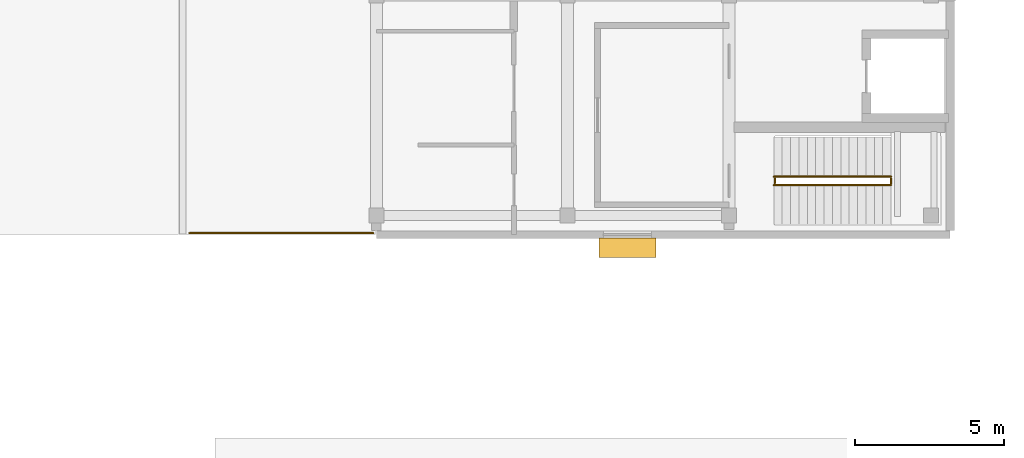
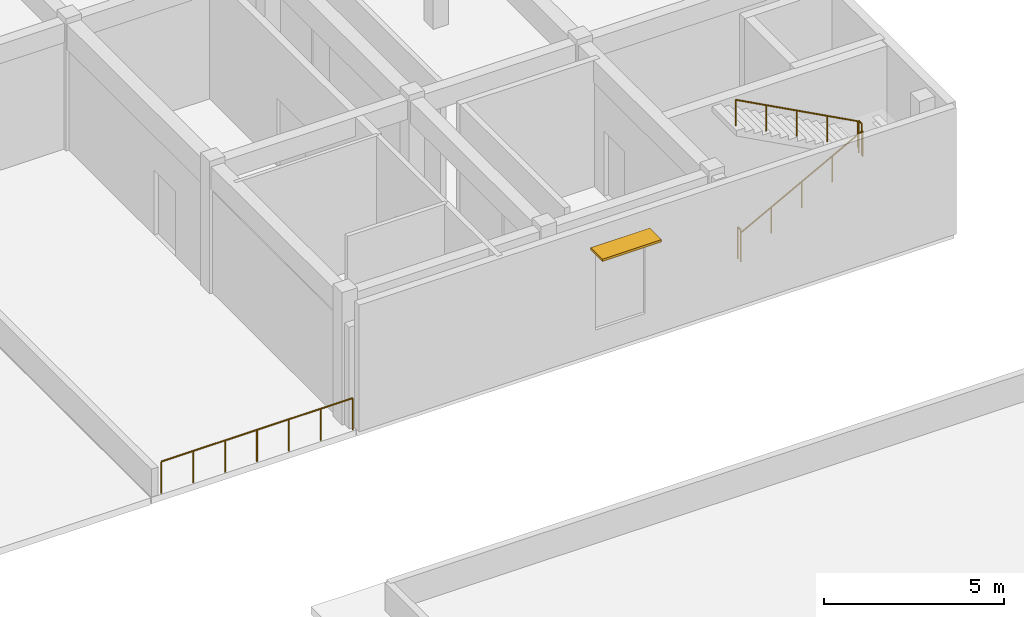
# One storey, part 42 of 45: 5 railings, 1 shading device.
"""IFC4 building model written with IfcOpenShell, lengths in metres."""

import ifcopenshell
import ifcopenshell.guid

model = None  # the IFC model being written
_history = None  # IfcOwnerHistory: only IFC2X3 demands one
_inside = {}  # id of a spatial element -> (the spatial element, [elements in it])
_under = {}  # id of a project, library or spatial element -> (it, [spatial elements below it])
_declared = {}  # id of a project -> (the project, [libraries it declares])
_typed = {}  # id of a type object -> (the type object, [elements of that type])
_made_of = {}  # id of a material, layer set ... -> (it, [elements and type objects made of it])


def new_model(schema):
    """Start an empty IFC model of exactly this schema.

    Asked for "IFC4X3", IfcOpenShell would pick the latest addendum, in which some entities
    have other attributes; the version numbers below select the first issue.
    IFC2X3 requires an IfcOwnerHistory on every rooted entity: one is made here for all.
    """
    global model, _history
    if schema == "IFC4X3":
        model = ifcopenshell.file(schema_version=(4, 3, 0, 0))
    else:
        model = ifcopenshell.file(schema=schema)
    _inside.clear()
    _under.clear()
    _declared.clear()
    _typed.clear()
    _made_of.clear()
    _history = None
    if model.schema == "IFC2X3":
        org = make("IfcOrganization", Name="unknown")
        user = make(
            "IfcPersonAndOrganization",
            ThePerson=make("IfcPerson", FamilyName="unknown"),
            TheOrganization=org,
        )
        app = make(
            "IfcApplication",
            ApplicationDeveloper=org,
            Version="unknown",
            ApplicationFullName="unknown",
            ApplicationIdentifier="unknown",
        )
        _history = make(
            "IfcOwnerHistory",
            OwningUser=user,
            OwningApplication=app,
            ChangeAction="ADDED",
            CreationDate=0,
        )
    return model


def make(cls, **values):
    """One entity of the class cls with the attributes given. An attribute that is None is left unset."""
    return model.create_entity(
        cls, **{name: value for name, value in values.items() if value is not None}
    )


def rooted(cls, **values):
    """An entity with a GlobalId (a new one), such as an element, a storey or a relation."""
    return make(cls, GlobalId=ifcopenshell.guid.new(), OwnerHistory=_history, **values)


def si_unit(unit_type, name, prefix=None):
    """IfcSIUnit, for example si_unit("LENGTHUNIT", "METRE", prefix="MILLI")."""
    return make("IfcSIUnit", UnitType=unit_type, Prefix=prefix, Name=name)


def assignment(units):
    """IfcUnitAssignment: the units of a project."""
    return None if units is None else make("IfcUnitAssignment", Units=units)


def point(xyz):
    """IfcCartesianPoint."""
    return None if xyz is None else make("IfcCartesianPoint", Coordinates=xyz)


def direction(xyz):
    """IfcDirection."""
    return None if xyz is None else make("IfcDirection", DirectionRatios=xyz)


def frame(location, z_axis=None, x_axis=None):
    """IfcAxis2Placement3D, a coordinate frame: its origin and axes. An axis left out is left unset."""
    return make(
        "IfcAxis2Placement3D",
        Location=point(location),
        Axis=direction(z_axis),
        RefDirection=direction(x_axis),
    )


def frame_2d(location, x_axis=None):
    """IfcAxis2Placement2D, a coordinate frame in the plane: its origin and x axis."""
    return make(
        "IfcAxis2Placement2D", Location=point(location), RefDirection=direction(x_axis)
    )


def origin():
    """The frame at (0, 0, 0) with its axes left unset."""
    return frame((0.0, 0.0, 0.0))


def origin_2d():
    """The frame at (0, 0) in the plane with its x axis left unset."""
    return frame_2d((0.0, 0.0))


def place(relative_to, where):
    """IfcLocalPlacement: puts the frame where relative to a parent placement (None: the world)."""
    return make(
        "IfcLocalPlacement", PlacementRelTo=relative_to, RelativePlacement=where
    )


def context(
    kind, dimensions, precision=None, world=None, true_north=None, identifier=None
):
    """IfcGeometricRepresentationContext, for example the 3D "Model" context."""
    return make(
        "IfcGeometricRepresentationContext",
        ContextIdentifier=identifier,
        ContextType=kind,
        CoordinateSpaceDimension=dimensions,
        Precision=precision,
        WorldCoordinateSystem=world,
        TrueNorth=true_north,
    )


def subcontext(parent, identifier, kind, view, scale=None):
    """IfcGeometricRepresentationSubContext, for example "Body" below "Model"."""
    return make(
        "IfcGeometricRepresentationSubContext",
        ContextIdentifier=identifier,
        ContextType=kind,
        ParentContext=parent,
        TargetScale=scale,
        TargetView=view,
    )


def project(units=None, contexts=None):
    """IfcProject with its units and contexts."""
    return rooted(
        "IfcProject",
        Name="project",
        RepresentationContexts=contexts,
        UnitsInContext=assignment(units),
    )


def spatial(cls, under=None, at=None, **own):
    """A site, building, storey or space (cls), placed at a placement, below another one or the project."""
    s = rooted(cls, ObjectPlacement=at, **own)
    if under is not None:
        _under.setdefault(under.id(), (under, []))[1].append(s)
    return s


def profile(cls, at=None, kind="AREA", **sizes):
    """A parametric profile (cls). Its sizes go by their IFC names, for example OverallWidth=200.0."""
    return make(cls, ProfileType=kind, Position=at, **sizes)


def rectangle(**sizes):
    """IfcRectangleProfileDef."""
    return profile("IfcRectangleProfileDef", **sizes)


def circle(**sizes):
    """IfcCircleProfileDef."""
    return profile("IfcCircleProfileDef", **sizes)


def extrude(swept, where, along, depth):
    """IfcExtrudedAreaSolid: the profile swept, set in the frame where, extruded along a direction by depth."""
    return make(
        "IfcExtrudedAreaSolid",
        SweptArea=swept,
        Position=where,
        ExtrudedDirection=direction(along),
        Depth=depth,
    )


def shape(context_of_items, identifier, shape_type, items):
    """IfcShapeRepresentation: the items that make up one representation, for example the "Body"."""
    return make(
        "IfcShapeRepresentation",
        ContextOfItems=context_of_items,
        RepresentationIdentifier=identifier,
        RepresentationType=shape_type,
        Items=items,
    )


def material(Name=None, Category=None):
    """IfcMaterial."""
    return make("IfcMaterial", Name=Name, Category=Category)


def made_of(thing, what):
    """Note that an element or type object is made of a material, layer set ...; save() writes the relation."""
    if what is not None:
        _made_of.setdefault(what.id(), (what, []))[1].append(thing)
    return thing


def type_object(cls, material=None, **own):
    """A type object (cls), such as IfcWallType, which elements share."""
    return made_of(rooted(cls, **own), material)


def element(
    cls,
    number,
    at=None,
    inside=None,
    cuts=None,
    type_object=None,
    material=None,
    context=None,
    identifier="Body",
    shape_type=None,
    held_by="IfcProductDefinitionShape",
    body=None,
    shapes=None,
    **own,
):
    """One element of the class cls, such as IfcWall. Its Tag is "e" and its number.

    at: its placement. inside: the storey or other place that contains it. cuts: it is an
    opening in that element (IfcRelVoidsElement). A single representation is given by context,
    identifier, shape_type and body (its items); several are given by shapes. held_by: the class
    of the entity that holds the representations. save() writes the other relations.
    """
    e = rooted(cls, Tag="e%d" % number, ObjectPlacement=at, **own)
    if body is not None:
        shapes = [shape(context, identifier, shape_type, body)]
    if shapes is not None:
        e.Representation = make(held_by, Representations=shapes)
    if inside is not None:
        _inside.setdefault(inside.id(), (inside, []))[1].append(e)
    if cuts is not None:
        rooted(
            "IfcRelVoidsElement", RelatingBuildingElement=cuts, RelatedOpeningElement=e
        )
    if type_object is not None:
        _typed.setdefault(type_object.id(), (type_object, []))[1].append(e)
    return made_of(e, material)


def aggregate(whole, parts):
    """IfcRelAggregates: a whole, such as a stair, and the parts it consists of."""
    return rooted("IfcRelAggregates", RelatingObject=whole, RelatedObjects=parts)


def save(model, path):
    """Write the relations noted so far, then the file.

    IfcRelAggregates (storeys below a building ...), IfcRelContainedInSpatialStructure (elements
    in a storey), IfcRelDefinesByType, IfcRelAssociatesMaterial and IfcRelDeclares: one each for
    every whole, place, type object, material and project.
    """
    for whole, parts in _under.values():
        aggregate(whole, parts)
    for where, things in _inside.values():
        rooted(
            "IfcRelContainedInSpatialStructure",
            RelatedElements=things,
            RelatingStructure=where,
        )
    for kind, things in _typed.values():
        rooted("IfcRelDefinesByType", RelatedObjects=things, RelatingType=kind)
    for what, things in _made_of.values():
        rooted("IfcRelAssociatesMaterial", RelatedObjects=things, RelatingMaterial=what)
    for by, libraries in _declared.values():
        rooted("IfcRelDeclares", RelatingContext=by, RelatedDefinitions=libraries)
    model.write(path)


model = new_model("IFC4")

# Units and contexts
model_context = context("Model", 3, precision=1e-05, world=origin(), true_north=direction((0.0, 1.0)))
body_context = subcontext(model_context, "Body", "Model", "MODEL_VIEW")
ifc_project = project(units=[si_unit("LENGTHUNIT", "METRE"), si_unit("AREAUNIT", "SQUARE_METRE"), si_unit("VOLUMEUNIT", "CUBIC_METRE"), si_unit("PLANEANGLEUNIT", "RADIAN"), si_unit("MASSUNIT", "GRAM", prefix="KILO")], contexts=[model_context])

# Site, building, storey
site_placement = place(None, origin())
site = spatial("IfcSite", under=ifc_project, at=site_placement, CompositionType="ELEMENT")
building_placement = place(site_placement, origin())
building = spatial("IfcBuilding", under=site, at=building_placement, Name="Cinchona Park Media Centre", CompositionType="ELEMENT")
storey_placement = place(building_placement, frame((0.0, 0.0, 20.39990234375)))
storey = spatial("IfcBuildingStorey", under=building, at=storey_placement, Name="L04", CompositionType="ELEMENT", Elevation=20.39990234375)

# Railings
ifc_material_1 = material(Name="Galvanised Painted Steel Balustrade", Category="steel")
railing_type_1 = type_object("IfcRailingType", Name="RAILING-GR01", PredefinedType="BALUSTRADE", material=ifc_material_1)
railing_1_placement = place(storey_placement, frame((146.550048828125, 71.64990234375, 0.0)))
element("IfcRailing", 1, at=railing_1_placement, inside=storey, type_object=railing_type_1, Name="Court Terrace Balustrade GR01 122", PredefinedType="BALUSTRADE", context=body_context, shape_type="SweptSolid", body=[
    extrude(circle(Radius=0.02392578125, at=origin_2d()), frame((0.0, 0.0, 1.076171875), z_axis=(1.0, 0.0, 0.0), x_axis=(0.0, 1.0, 0.0)), (0.0, 0.0, 1.0), 6.14990234375),
    extrude(circle(Radius=0.02099609375, at=origin_2d()), origin(), (0.0, 0.0, 1.0), 1.052001953125),
    extrude(circle(Radius=0.02099609375, at=origin_2d()), frame((1.02490234375, 0.0, 0.0)), (0.0, 0.0, 1.0), 1.052001953125),
    extrude(circle(Radius=0.02099609375, at=origin_2d()), frame((2.050048828125, 0.0, 0.0)), (0.0, 0.0, 1.0), 1.052001953125),
    extrude(circle(Radius=0.02099609375, at=origin_2d()), frame((3.074951171875, 0.0, 0.0)), (0.0, 0.0, 1.0), 1.052001953125),
    extrude(circle(Radius=0.02099609375, at=origin_2d()), frame((4.099853515625, 0.0, 0.0)), (0.0, 0.0, 1.0), 1.052001953125),
    extrude(circle(Radius=0.02099609375, at=origin_2d()), frame((5.125, 0.0, 0.0)), (0.0, 0.0, 1.0), 1.052001953125),
    extrude(circle(Radius=0.02099609375, at=origin_2d()), frame((6.14990234375, 0.0, 0.0)), (0.0, 0.0, 1.0), 1.052001953125),
])
ifc_material_2 = material(Name="Painted Steel Stairwell Guardrail", Category="steel")
railing_type_2 = type_object("IfcRailingType", Name="RAILING-GR02", PredefinedType="GUARDRAIL", material=ifc_material_2)
for number, where, name in (
    (2, (166.135009765625, 73.320068359375, 0.0), "Stairwell Guardrail GR02 ST1 L04"),
    (3, (170.02001953125, 73.320068359375, 2.25), "Half-Landing Guardrail GR02 ST1 L04"),
):
    element("IfcRailing", number, at=place(storey_placement, frame(where)), inside=storey, type_object=railing_type_2, Name=name, PredefinedType="GUARDRAIL", context=body_context, shape_type="SweptSolid", body=[
        extrude(circle(Radius=0.02392578125, at=origin_2d()), frame((0.0, 0.0, 1.076171875), z_axis=(0.0, 1.0, 0.0), x_axis=(-1.0, 0.0, 0.0)), (0.0, 0.0, 1.0), 0.159912109375),
        extrude(circle(Radius=0.02099609375, at=origin_2d()), origin(), (0.0, 0.0, 1.0), 1.052001953125),
        extrude(circle(Radius=0.02099609375, at=origin_2d()), frame((0.0, 0.159912109375, 0.0)), (0.0, 0.0, 1.0), 1.052001953125),
    ])
ifc_material_3 = material(Name="Brushed Stainless Steel Handrail", Category="steel")
railing_type_3 = type_object("IfcRailingType", Name="RAILING-HR01", PredefinedType="HANDRAIL", material=ifc_material_3)
railing_2_placement = place(storey_placement, frame((166.10009765625, 73.260009765625, 0.150146484375)))
element("IfcRailing", 4, at=railing_2_placement, inside=storey, type_object=railing_type_3, Name="Stair Handrail HR01 ST1 L04 F1", PredefinedType="HANDRAIL", context=body_context, shape_type="SweptSolid", body=[
    extrude(circle(Radius=0.02392578125, at=origin_2d()), frame((0.0, 0.0, 0.8759765625), z_axis=(0.881489763865, 0.0, 0.472203130232), x_axis=(0.0, 1.0, 0.0)), (0.0, 0.0, 1.0), 4.447021484375),
    extrude(circle(Radius=0.02099609375, at=origin_2d()), origin(), (0.0, 0.0, 1.0), 0.851806640625),
    extrude(circle(Radius=0.02099609375, at=origin_2d()), frame((0.97998046875, 0.0, 0.52490234375)), (0.0, 0.0, 1.0), 0.851806640625),
    extrude(circle(Radius=0.02099609375, at=origin_2d()), frame((1.9599609375, 0.0, 1.0498046875)), (0.0, 0.0, 1.0), 0.851806640625),
    extrude(circle(Radius=0.02099609375, at=origin_2d()), frame((2.93994140625, 0.0, 1.574951171875)), (0.0, 0.0, 1.0), 0.851806640625),
    extrude(circle(Radius=0.02099609375, at=origin_2d()), frame((3.919921875, 0.0, 2.099853515625)), (0.0, 0.0, 1.0), 0.851806640625),
])
railing_3_placement = place(storey_placement, frame((170.02001953125, 73.5400390625, 2.400146484375)))
element("IfcRailing", 5, at=railing_3_placement, inside=storey, type_object=railing_type_3, Name="Stair Handrail HR01 ST1 L04 F2", PredefinedType="HANDRAIL", context=body_context, shape_type="SweptSolid", body=[
    extrude(circle(Radius=0.02392578125, at=origin_2d()), frame((0.0, 0.0, 0.8759765625), z_axis=(-0.881489763865, 0.0, 0.472203130232), x_axis=(0.0, -1.0, 0.0)), (0.0, 0.0, 1.0), 4.447021484375),
    extrude(circle(Radius=0.02099609375, at=origin_2d()), origin(), (0.0, 0.0, 1.0), 0.851806640625),
    extrude(circle(Radius=0.02099609375, at=origin_2d()), frame((-0.97998046875, 0.0, 0.52490234375)), (0.0, 0.0, 1.0), 0.851806640625),
    extrude(circle(Radius=0.02099609375, at=origin_2d()), frame((-1.9599609375, 0.0, 1.0498046875)), (0.0, 0.0, 1.0), 0.851806640625),
    extrude(circle(Radius=0.02099609375, at=origin_2d()), frame((-2.93994140625, 0.0, 1.574951171875)), (0.0, 0.0, 1.0), 0.851806640625),
    extrude(circle(Radius=0.02099609375, at=origin_2d()), frame((-3.919921875, 0.0, 2.099853515625)), (0.0, 0.0, 1.0), 0.851806640625),
])

# Shading device
ifc_material_4 = material(Name="Anodised Aluminium Horizontal Brise-Soleil", Category="aluminium")
shading_device_type = type_object("IfcShadingDeviceType", Name="SHADING-SUN01", PredefinedType="AWNING", material=ifc_material_4)
shading_device_placement = place(storey_placement, frame((161.199951171875, 71.155029296875, 3.570068359375), z_axis=(0.0, 0.0, 1.0), x_axis=(-1.0, 0.0, 0.0)))
element("IfcShadingDevice", 6, at=shading_device_placement, inside=storey, type_object=shading_device_type, Name="Horizontal Sunshade SHD02 L04", PredefinedType="AWNING", context=body_context, shape_type="SweptSolid", body=[
    extrude(rectangle(XDim=1.89990234375, YDim=0.64990234375, at=origin_2d()), origin(), (0.0, 0.0, 1.0), 0.080078125),
])

save(model, "model.ifc")
